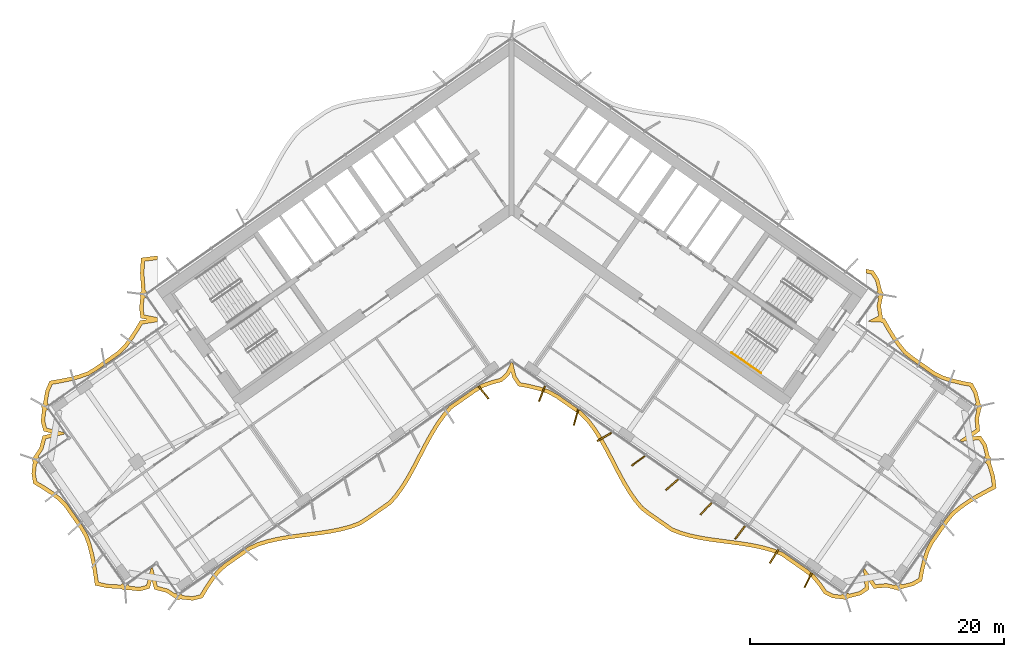
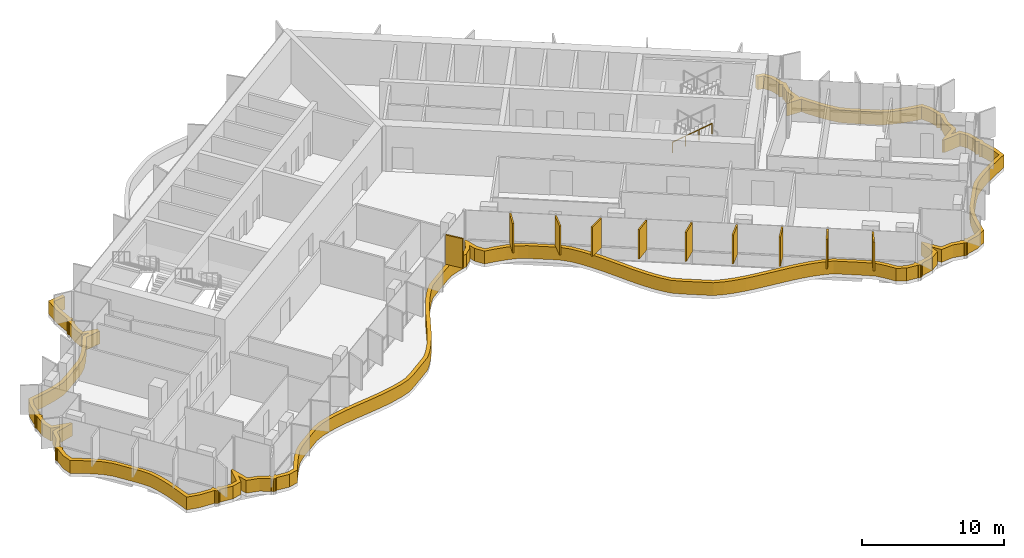
# One storey, part 21 of 23: 11 shading devices, 1 railing.
"""IFC4 building model written with IfcOpenShell, lengths in metres."""

from ifc_helpers import new_model, si_unit, direction, frame, origin, origin_2d, place, context, subcontext, project, spatial, polyline, rectangle, circle, outline, extrude, material, layer, layer_set, type_object, element, save


model = new_model("IFC4")

# Units and contexts
model_context = context("Model", 3, precision=1e-05, world=origin(), true_north=direction((0.0, 1.0)))
body_context = subcontext(model_context, "Body", "Model", "MODEL_VIEW")
ifc_project = project(units=[si_unit("LENGTHUNIT", "METRE"), si_unit("AREAUNIT", "SQUARE_METRE"), si_unit("VOLUMEUNIT", "CUBIC_METRE"), si_unit("PLANEANGLEUNIT", "RADIAN"), si_unit("MASSUNIT", "GRAM", prefix="KILO")], contexts=[model_context])

# Site, building, storey
site_placement = place(None, origin())
site = spatial("IfcSite", under=ifc_project, at=site_placement, CompositionType="ELEMENT")
building_placement = place(site_placement, origin())
building = spatial("IfcBuilding", under=site, at=building_placement, Name="Tel Ilan Convention Tower", CompositionType="ELEMENT")
storey_placement = place(building_placement, frame((0.0, 0.0, 171.0)))
storey = spatial("IfcBuildingStorey", under=building, at=storey_placement, Name="L39", CompositionType="ELEMENT", Elevation=171.0)

# Shading devices
ifc_material_1 = material(Name="Aluminium, bronze anodised", Category="aluminium")
ifc_layer_1 = layer(ifc_material_1, 0.1201171875)
ifc_layer_set_1 = layer_set([ifc_layer_1], Name="FIN BRONZE 1300x120")
shading_device_type_1 = type_object("IfcShadingDeviceType", Name="FIN BRONZE 1300x120", PredefinedType="USERDEFINED", material=ifc_layer_set_1)
for number, where, z_axis, x_axis, name in (
    (1, (-2.2255859375, -15.172119140625, 1.10009765625), (0.0, 0.0, 1.0), (0.612600545196, -0.790392669516, 0.0), "FIN"),
    (2, (2.383056640625, -15.274169921875, 1.10009765625), (0.0, 0.0, 1.0), (-0.360177724803, -0.932883704733, 0.0), "FIN"),
    (3, (5.06494140625, -17.13671875, 1.10009765625), (0.0, 0.0, 1.0), (-0.268172612768, -0.963370878614, 0.0), "FIN"),
    (4, (7.29833984375, -18.677978515625, 1.10009765625), (0.0, 0.0, 1.0), (-0.866025403784, -0.5, 0.0), "FIN"),
    (5, (9.9609375, -20.564697265625, 1.10009765625), (0.0, 0.0, 1.0), (-0.813552070258, -0.581492071294, 0.0), "FIN"),
    (6, (12.62841796875, -22.44775390625, 1.10009765625), (0.0, 0.0, 1.0), (-0.753435896329, -0.657521368568, 0.0), "FIN"),
    (7, (15.300537109375, -24.32666015625, 1.10009765625), (0.0, 0.0, 1.0), (-0.686241637865, -0.727373641577, 0.0), "FIN"),
    (8, (17.976806640625, -26.201171875, 1.10009765625), (0.0, 0.0, 1.0), (-0.612600545196, -0.790392669516, 0.0), "FIN"),
    (9, (20.653564453125, -28.075439453125, 1.10009765625), (0.0, 0.0, 1.0), (-0.533204432798, -0.845986425922, 0.0), "FIN"),
    (10, (23.330322265625, -29.949462890625, 1.10009765625), (0.0, 0.0, 1.0), (-0.448799180206, -0.893632640321, 0.0), "FIN"),
):
    element("IfcShadingDevice", number, at=place(storey_placement, frame(where, z_axis=z_axis, x_axis=x_axis)), inside=storey, type_object=shading_device_type_1, Name=name, ObjectType="FIN", PredefinedType="USERDEFINED", context=body_context, shape_type="SweptSolid", body=[
        extrude(rectangle(XDim=1.300048828125, YDim=0.1201171875, at=origin_2d()), origin(), (0.0, 0.0, 1.0), 2.52001953125),
    ])
ifc_material_2 = material(Name="Aluminium, bronze anodised", Category="aluminium")
ifc_layer_2 = layer(ifc_material_2, 0.300048828125)
ifc_layer_set_2 = layer_set([ifc_layer_2], Name="LOUVRE BAND 300x1100")
shading_device_type_2 = type_object("IfcShadingDeviceType", Name="LOUVRE BAND 300x1100", PredefinedType="USERDEFINED", material=ifc_layer_set_2)
shading_device_placement = place(storey_placement, origin())
element("IfcShadingDevice", 11, at=shading_device_placement, inside=storey, type_object=shading_device_type_2, Name="LOUVRE BAND 31.01", ObjectType="LOUVRE", PredefinedType="USERDEFINED", context=body_context, shape_type="SweptSolid", body=[
    extrude(outline(polyline([(-37.76904296875, -21.58447265625), (-37.634765625, -22.36669921875), (-36.95703125, -22.768310546875), (-36.311767578125, -23.192626953125), (-35.712890625, -23.649169921875), (-35.203857421875, -24.1689453125), (-33.968994140625, -25.932373046875), (-33.60498046875, -26.5537109375), (-33.363525390625, -27.2607421875), (-33.17138671875, -28.002197265625), (-33.01904296875, -28.771728515625), (-32.89599609375, -29.5615234375), (-32.782958984375, -30.358642578125), (-31.836181640625, -30.571533203125), (-30.67138671875, -30.632080078125), (-30.642333984375, -30.67529296875), (-30.544921875, -30.740478515625), (-30.43017578125, -30.76318359375), (-30.3154296875, -30.740478515625), (-30.261474609375, -30.704345703125), (-29.26904296875, -30.81396484375), (-28.4951171875, -30.611572265625), (-28.31640625, -29.930908203125), (-28.12109375, -30.677734375), (-27.170166015625, -30.92724609375), (-26.497802734375, -31.3720703125), (-26.4931640625, -31.368896484375), (-26.464111328125, -31.412109375), (-26.366943359375, -31.47705078125), (-26.251953125, -31.5), (-26.13720703125, -31.47705078125), (-26.083251953125, -31.441162109375), (-25.097412109375, -31.54931640625), (-24.322021484375, -31.357421875), (-23.90576171875, -30.652587890625), (-23.4609375, -29.988525390625), (-22.980224609375, -29.375732421875), (-22.4169921875, -28.880859375), (-20.58544921875, -27.598388671875), (-19.900146484375, -27.277587890625), (-19.150634765625, -27.048583984375), (-18.36669921875, -26.86865234375), (-17.556396484375, -26.726806640625), (-16.728515625, -26.609619140625), (-15.0595703125, -26.39404296875), (-14.239013671875, -26.266845703125), (-13.4404296875, -26.10791015625), (-12.672119140625, -25.90576171875), (-11.941650390625, -25.649658203125), (-11.30908203125, -25.253662109375), (-9.4775390625, -23.97119140625), (-8.9716796875, -23.39404296875), (-8.509033203125, -22.75537109375), (-8.0791015625, -22.0703125), (-7.673583984375, -21.35009765625), (-6.508056640625, -19.1162109375), (-6.103271484375, -18.39501953125), (-5.67431640625, -17.708251953125), (-5.213134765625, -17.067626953125), (-4.7119140625, -16.483642578125), (-2.88037109375, -15.201416015625), (-2.25146484375, -14.800048828125), (-1.5224609375, -14.5419921875), (-0.755615234375, -14.337890625), (-0.200439453125, -13.831298828125), (-0.055419921875, -13.532470703125), (0.06640625, -14.0224609375), (0.51220703125, -14.685546875), (1.31689453125, -14.835693359375), (2.093017578125, -15.0263671875), (2.833251953125, -15.268798828125), (3.490966796875, -15.62890625), (5.322509765625, -16.9111328125), (5.858154296875, -17.445556640625), (6.329833984375, -18.071533203125), (6.76708984375, -18.74658203125), (7.177734375, -19.45947265625), (7.57080078125, -20.197509765625), (8.343994140625, -21.69189453125), (8.744384765625, -22.41943359375), (9.166748046875, -23.11572265625), (9.61962890625, -23.768310546875), (10.110107421875, -24.3671875), (10.698486328125, -24.826171875), (12.530029296875, -26.108642578125), (13.245361328125, -26.386474609375), (14.003662109375, -26.602783203125), (14.794677734375, -26.7724609375), (15.610107421875, -26.9072265625), (18.10791015625, -27.238525390625), (18.924072265625, -27.3720703125), (19.716064453125, -27.54052734375), (20.475830078125, -27.7548828125), (21.19580078125, -28.02587890625), (23.02734375, -29.308349609375), (23.619384765625, -29.76220703125), (24.111328125, -30.35888671875), (24.565673828125, -31.009765625), (25.2314453125, -31.358154296875), (26.083251953125, -31.441162109375), (26.13720703125, -31.47705078125), (26.251953125, -31.5), (26.366943359375, -31.47705078125), (26.464111328125, -31.412109375), (26.4931640625, -31.368896484375), (27.463134765625, -31.132568359375), (28.12109375, -30.677734375), (28.056396484375, -29.976806640625), (28.4951171875, -30.611572265625), (29.47412109375, -30.52099609375), (30.258056640625, -30.708984375), (30.261474609375, -30.704345703125), (30.3154296875, -30.740478515625), (30.43017578125, -30.76318359375), (30.544921875, -30.740478515625), (30.642333984375, -30.67529296875), (30.67138671875, -30.632080078125), (31.5947265625, -30.402587890625), (32.283447265625, -30.0087890625), (32.42919921875, -29.234619140625), (32.607177734375, -28.483154296875), (32.83154296875, -27.764404296875), (33.145751953125, -27.108154296875), (34.380615234375, -25.344482421875), (34.83984375, -24.7900390625), (35.421630859375, -24.3212890625), (36.052734375, -23.88720703125), (36.7236328125, -23.48095703125), (37.423828125, -23.09521484375), (38.134033203125, -22.71630859375), (38.010498046875, -21.753662109375), (37.6689453125, -20.638427734375), (37.705078125, -20.58447265625), (37.727783203125, -20.4697265625), (37.705078125, -20.354736328125), (37.639892578125, -20.257568359375), (37.5966796875, -20.228515625), (37.3603515625, -19.258544921875), (36.905517578125, -18.6005859375), (36.20458984375, -18.665283203125), (36.839599609375, -18.2265625), (36.748779296875, -17.24755859375), (36.936767578125, -16.463623046875), (36.93212890625, -16.460205078125), (36.96826171875, -16.40625), (36.9912109375, -16.29150390625), (36.96826171875, -16.1767578125), (36.9033203125, -16.079345703125), (36.85986328125, -16.05029296875), (36.63134765625, -15.134521484375), (36.246826171875, -14.44140625), (35.47900390625, -14.2958984375), (34.732177734375, -14.1201171875), (34.017333984375, -13.899169921875), (33.361328125, -13.59375), (31.6103515625, -12.36767578125), (31.052978515625, -11.921630859375), (30.5849609375, -11.347900390625), (30.151123046875, -10.72509765625), (29.74560546875, -10.06201171875), (29.356201171875, -9.3759765625), (29.132080078125, -9.36474609375), (29.19384765625, -9.332763671875), (29.044921875, -8.373779296875), (29.20458984375, -7.631103515625), (29.199951171875, -7.6279296875), (29.236083984375, -7.57373046875), (29.2587890625, -7.458984375), (29.236083984375, -7.34423828125), (29.1708984375, -7.246826171875), (29.127685546875, -7.218017578125), (28.894287109375, -6.267333984375), (28.465576171875, -5.595458984375), (27.874755859375, -5.485595703125), (27.874755859375, -5.790771484375), (28.28271484375, -5.86669921875), (28.614990234375, -6.387451171875), (28.806640625, -7.1533203125), (28.713134765625, -7.286865234375), (28.958740234375, -7.458984375), (28.787353515625, -7.705322265625), (28.869384765625, -7.7626953125), (28.73974609375, -8.364990234375), (28.8642578125, -9.165283203125), (28.0048828125, -9.60888671875), (29.1767578125, -9.66748046875), (29.4873046875, -10.21435546875), (29.89990234375, -10.88916015625), (30.34521484375, -11.528564453125), (30.840576171875, -12.135986328125), (31.430419921875, -12.60791015625), (33.2109375, -13.8544921875), (33.9091796875, -14.1796875), (34.653564453125, -14.409912109375), (35.416748046875, -14.58935546875), (36.052734375, -14.7099609375), (36.35009765625, -15.24609375), (36.53857421875, -15.986328125), (36.4453125, -16.119384765625), (36.691162109375, -16.29150390625), (36.519775390625, -16.53759765625), (36.597412109375, -16.592041015625), (36.445556640625, -17.225830078125), (36.524658203125, -18.07958984375), (35.261474609375, -18.95263671875), (35.38916015625, -19.042236328125), (36.758544921875, -18.915283203125), (37.082275390625, -19.384033203125), (37.27587890625, -20.16357421875), (37.18212890625, -20.297607421875), (37.427734375, -20.4697265625), (37.25634765625, -20.7158203125), (37.41650390625, -20.827880859375), (37.716064453125, -21.816650390625), (37.810302734375, -22.549072265625), (36.573486328125, -23.22119140625), (35.889892578125, -23.635009765625), (35.2421875, -24.08056640625), (34.6279296875, -24.575439453125), (34.141845703125, -25.16259765625), (32.8857421875, -26.956298828125), (32.551513671875, -27.654296875), (32.317626953125, -28.40380859375), (32.1357421875, -29.17236328125), (32.014404296875, -29.817138671875), (31.481201171875, -30.121826171875), (30.7353515625, -30.310791015625), (30.602294921875, -30.217529296875), (30.43017578125, -30.46337890625), (30.18408203125, -30.291748046875), (30.129638671875, -30.36962890625), (29.495849609375, -30.2177734375), (28.64208984375, -30.296875), (27.76904296875, -29.03369140625), (27.679443359375, -29.161376953125), (27.806396484375, -30.530517578125), (27.337646484375, -30.8544921875), (26.55810546875, -31.048095703125), (26.424072265625, -30.954345703125), (26.251953125, -31.199951171875), (26.005859375, -31.028564453125), (25.935302734375, -31.129150390625), (25.319580078125, -31.065673828125), (24.76953125, -30.77783203125), (24.3505859375, -30.177490234375), (23.8291015625, -29.544921875), (23.204833984375, -29.06640625), (21.3369140625, -27.758544921875), (20.569580078125, -27.469482421875), (19.7880859375, -27.2490234375), (18.9794921875, -27.077392578125), (18.15234375, -26.941650390625), (15.65478515625, -26.610595703125), (14.8505859375, -26.477783203125), (14.076416015625, -26.3115234375), (13.341064453125, -26.101806640625), (12.67236328125, -25.842041015625), (10.876953125, -24.5849609375), (10.321044921875, -24.1513671875), (9.859375, -23.58740234375), (9.41845703125, -22.9521484375), (9.004150390625, -22.269287109375), (8.608642578125, -21.55029296875), (7.83642578125, -20.058349609375), (7.440185546875, -19.31396484375), (7.02294921875, -18.590087890625), (6.575927734375, -17.8994140625), (6.085205078125, -17.248046875), (5.515869140625, -16.680419921875), (3.649658203125, -15.37353515625), (2.953125, -14.9921875), (2.17578125, -14.73779296875), (1.380126953125, -14.542236328125), (0.69091796875, -14.41357421875), (0.344970703125, -13.89892578125), (0.092041015625, -12.882568359375), (0.0, -12.818115234375), (-0.063720703125, -12.86279296875), (-0.445068359375, -13.6484375), (-0.903564453125, -14.06689453125), (-1.611328125, -14.255126953125), (-2.384033203125, -14.52880859375), (-3.04736328125, -14.951904296875), (-4.9150390625, -16.259765625), (-5.448974609375, -16.882080078125), (-5.923583984375, -17.541015625), (-6.361572265625, -18.241943359375), (-6.771728515625, -18.972900390625), (-7.93701171875, -21.20654296875), (-8.3369140625, -21.916748046875), (-8.7578125, -22.587646484375), (-9.20654296875, -23.206787109375), (-9.67919921875, -23.746337890625), (-11.474853515625, -25.00341796875), (-12.072509765625, -25.377685546875), (-12.760009765625, -25.61865234375), (-13.5078125, -25.8154296875), (-14.291259765625, -25.97119140625), (-15.102294921875, -26.09716796875), (-16.768310546875, -26.312255859375), (-17.603271484375, -26.430419921875), (-18.42626953125, -26.57470703125), (-19.22802734375, -26.7587890625), (-20.008056640625, -26.9970703125), (-20.736083984375, -27.337646484375), (-22.6025390625, -28.64453125), (-23.198974609375, -29.168701171875), (-23.7041015625, -29.81201171875), (-24.159912109375, -30.49267578125), (-24.516357421875, -31.096435546875), (-25.118408203125, -31.24560546875), (-25.91259765625, -31.161865234375), (-26.005859375, -31.028564453125), (-26.251953125, -31.199951171875), (-26.424072265625, -30.954345703125), (-26.502685546875, -31.00927734375), (-27.0458984375, -30.649658203125), (-27.875244140625, -30.43212890625), (-28.263916015625, -28.9462890625), (-28.3916015625, -29.035888671875), (-28.74072265625, -30.36572265625), (-29.2919921875, -30.510009765625), (-30.0908203125, -30.425048828125), (-30.18408203125, -30.291748046875), (-30.43017578125, -30.46337890625), (-30.602294921875, -30.217529296875), (-30.76318359375, -30.330078125), (-31.794677734375, -30.2734375), (-32.51513671875, -30.111328125), (-32.7236328125, -28.719482421875), (-32.878662109375, -27.935302734375), (-33.075927734375, -27.174560546875), (-33.330810546875, -26.427978515625), (-33.71630859375, -25.770263671875), (-34.97216796875, -23.9765625), (-35.513671875, -23.423828125), (-36.13818359375, -22.947509765625), (-36.798095703125, -22.513671875), (-37.362548828125, -22.17919921875), (-37.46630859375, -21.573974609375), (-37.388916015625, -20.80859375), (-37.25634765625, -20.7158203125), (-37.427734375, -20.4697265625), (-37.18212890625, -20.297607421875), (-37.237060546875, -20.218994140625), (-36.877685546875, -19.675537109375), (-36.659912109375, -18.846435546875), (-35.17431640625, -18.457763671875), (-35.263671875, -18.330078125), (-36.59375, -17.98095703125), (-36.73779296875, -17.4296875), (-36.653076171875, -16.630859375), (-36.519775390625, -16.53759765625), (-36.691162109375, -16.29150390625), (-36.4453125, -16.119384765625), (-36.5458984375, -15.9755859375), (-36.3974609375, -15.14111328125), (-36.1474609375, -14.54833984375), (-35.52734375, -14.443603515625), (-34.751953125, -14.28662109375), (-33.998779296875, -14.0869140625), (-33.2587890625, -13.8291015625), (-32.613525390625, -13.436279296875), (-30.8330078125, -12.189697265625), (-30.288818359375, -11.64453125), (-29.81787109375, -11.02392578125), (-29.38818359375, -10.3681640625), (-29.05712890625, -9.8115234375), (-27.874755859375, -9.6240234375), (-27.874755859375, -9.287353515625), (-28.923828125, -9.080322265625), (-28.992431640625, -8.5439453125), (-28.91943359375, -7.797607421875), (-28.787353515625, -7.705322265625), (-28.958740234375, -7.458984375), (-28.713134765625, -7.286865234375), (-28.83740234375, -7.109375), (-28.93115234375, -5.783447265625), (-28.876953125, -4.86572265625), (-27.874755859375, -4.735107421875), (-27.874755859375, -4.4326171875), (-29.161865234375, -4.60107421875), (-29.231689453125, -5.78515625), (-29.127685546875, -7.218017578125), (-29.1708984375, -7.246826171875), (-29.236083984375, -7.34423828125), (-29.2587890625, -7.458984375), (-29.236083984375, -7.57373046875), (-29.199951171875, -7.6279296875), (-29.29443359375, -8.548583984375), (-29.19384765625, -9.332763671875), (-28.64111328125, -9.44189453125), (-29.2431640625, -9.537353515625), (-29.642578125, -10.209228515625), (-30.06298828125, -10.850830078125), (-30.515380859375, -11.447021484375), (-31.02685546875, -11.958984375), (-32.777587890625, -13.18505859375), (-33.387451171875, -13.55615234375), (-34.086669921875, -13.7998046875), (-34.8203125, -13.994384765625), (-35.58203125, -14.148681640625), (-36.35986328125, -14.280029296875), (-36.686767578125, -15.055419921875), (-36.85986328125, -16.05029296875), (-36.9033203125, -16.079345703125), (-36.96826171875, -16.1767578125), (-36.9912109375, -16.29150390625), (-36.96826171875, -16.40625), (-36.93212890625, -16.460205078125), (-37.0419921875, -17.45263671875), (-36.839599609375, -18.2265625), (-36.15869140625, -18.4052734375), (-36.905517578125, -18.6005859375), (-37.1552734375, -19.551513671875), (-37.599853515625, -20.223876953125), (-37.5966796875, -20.228515625), (-37.639892578125, -20.257568359375), (-37.705078125, -20.354736328125), (-37.727783203125, -20.4697265625), (-37.705078125, -20.58447265625), (-37.6689453125, -20.638427734375), (-37.76904296875, -21.58447265625)])), origin(), (0.0, 0.0, 1.0), 1.10009765625),
])

# Railing
ifc_material_3 = material(Name="Stainless Steel Grade 316", Category="steel")
railing_type = type_object("IfcRailingType", Name="Stainless Steel Stair Handrail 900 mm", PredefinedType="HANDRAIL", material=ifc_material_3)
railing_placement = place(storey_placement, frame((17.312744140625, -12.0615234375, 2.127197265625)))
element("IfcRailing", 12, at=railing_placement, inside=storey, type_object=railing_type, Name="L39 S4 stair handrail 2", PredefinedType="HANDRAIL", context=body_context, shape_type="SweptSolid", body=[
    extrude(circle(Radius=0.02392578125, at=origin_2d()), frame((0.0, 0.0, 0.8759765625), z_axis=(0.692123088272, -0.484596665743, 0.534912798717), x_axis=(0.573550118428, 0.819170471667, 0.0)), (0.0, 0.0, 1.0), 3.31396484375),
    extrude(circle(Radius=0.02099609375, at=origin_2d()), origin(), (0.0, 0.0, 1.0), 0.851806640625),
    extrude(circle(Radius=0.02099609375, at=origin_2d()), frame((0.7646484375, -0.535400390625, 0.5908203125)), (0.0, 0.0, 1.0), 0.851806640625),
    extrude(circle(Radius=0.02099609375, at=origin_2d()), frame((1.529052734375, -1.070556640625, 1.181884765625)), (0.0, 0.0, 1.0), 0.851806640625),
    extrude(circle(Radius=0.02099609375, at=origin_2d()), frame((2.293701171875, -1.60595703125, 1.772705078125)), (0.0, 0.0, 1.0), 0.851806640625),
])

save(model, "model.ifc")
